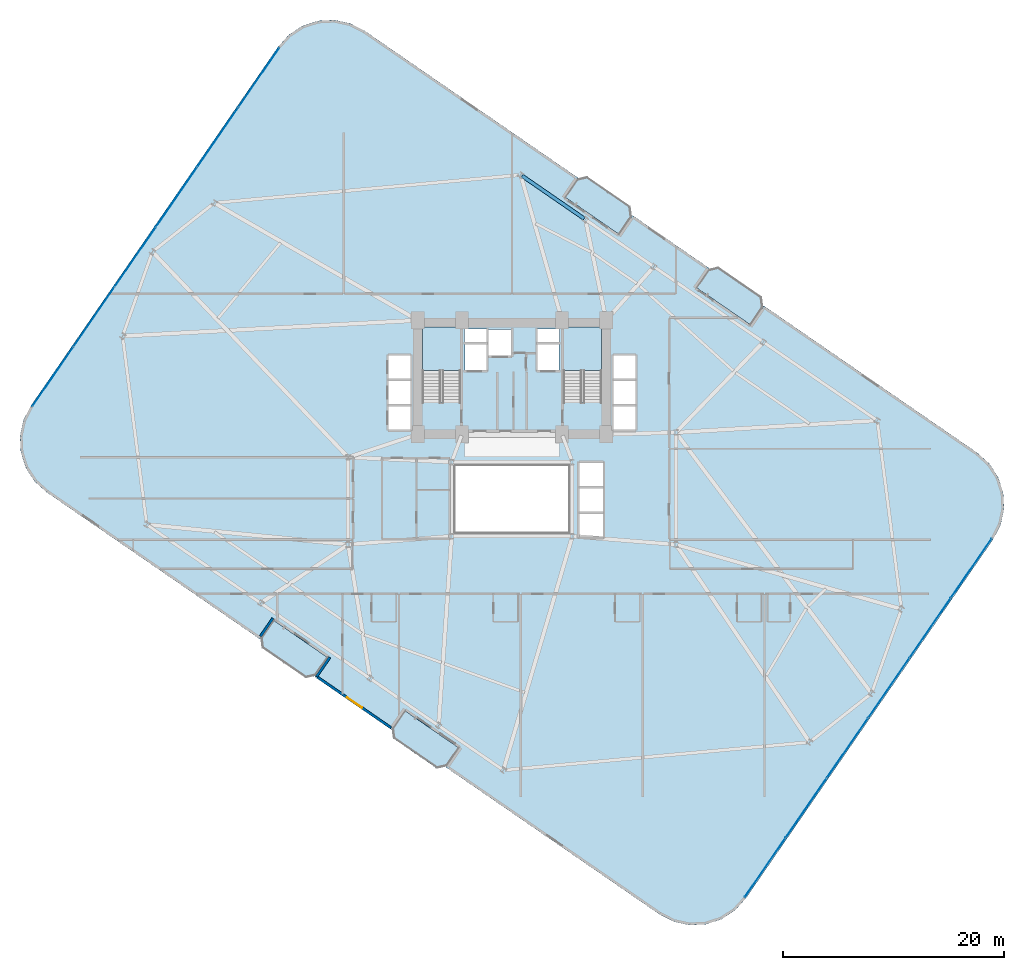
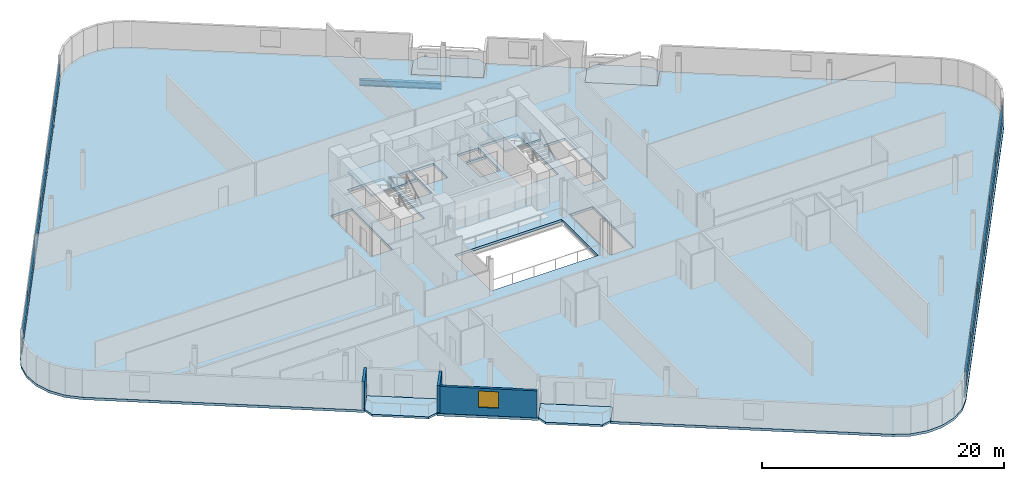
# One storey, part 16 of 24: 24 plates, 7 slabs, 3 walls, 1 beam, 1 window, 1 opening, 4 elements without a shape of their own.
"""IFC4 building model written with IfcOpenShell, lengths in metres."""

from ifc_helpers import new_model, si_unit, direction, frame, frame_2d, origin, origin_2d, place, context, subcontext, project, spatial, polyline, rectangle, i_section, outline, extrude, source, transform, mapped, material, layer, layer_set, material_profile, profile_set, type_object, element, fill, aggregate, save


model = new_model("IFC4")

# Units and contexts
model_context = context("Model", 3, precision=1e-05, world=origin(), true_north=direction((0.0, 1.0)))
body_context = subcontext(model_context, "Body", "Model", "MODEL_VIEW")
ifc_project = project(units=[si_unit("LENGTHUNIT", "METRE"), si_unit("AREAUNIT", "SQUARE_METRE"), si_unit("VOLUMEUNIT", "CUBIC_METRE"), si_unit("PLANEANGLEUNIT", "RADIAN"), si_unit("MASSUNIT", "GRAM", prefix="KILO")], contexts=[model_context])

# Site, building, storey
site_placement = place(None, origin())
site = spatial("IfcSite", under=ifc_project, at=site_placement, CompositionType="ELEMENT")
building_placement = place(site_placement, origin())
building = spatial("IfcBuilding", under=site, at=building_placement, Name="Varnelok Gate Tower", CompositionType="ELEMENT")
storey_placement = place(building_placement, frame((0.0, 0.0, 38.10009765625)))
storey = spatial("IfcBuildingStorey", under=building, at=storey_placement, Name="L08", CompositionType="ELEMENT", Elevation=38.10009765625)

# Beam
ifc_material_1 = material(Name="Structural Steel ASTM A992 Grade 50", Category="steel")
ifc_material_profile = material_profile(ifc_material_1, i_section(OverallWidth=0.323974609375, OverallDepth=0.611083984375, WebThickness=0.0126953125, FlangeThickness=0.01904296875, FilletRadius=0.01806640625, at=origin_2d()), Name="W24X104")
ifc_profile_set = profile_set([ifc_material_profile], Name="Structural Steel ASTM A992 Grade 50")
beam_type = type_object("IfcBeamType", Name="BM-SPN-W24X104", PredefinedType="SPANDREL", material=ifc_profile_set)
beam_placement = place(storey_placement, frame((45.708984375, 48.235107421875, -0.5556640625), z_axis=(-0.823553445566, 0.567238681947, 0.0), x_axis=(-0.567238681947, -0.823553445566, 0.0)))
element("IfcBeam", 1, at=beam_placement, inside=storey, type_object=beam_type, Name="L08 Perimeter Spandrel Beam 12", PredefinedType="SPANDREL", context=body_context, shape_type="SweptSolid", body=[
    extrude(i_section(OverallWidth=0.323974609375, OverallDepth=0.611083984375, WebThickness=0.0126953125, FlangeThickness=0.01904296875, FilletRadius=0.01806640625, at=origin_2d()), origin(), (0.0, 0.0, 1.0), 6.7998046875),
])

# Slabs
ifc_material_2 = material(Name="Concrete C45/55", Category="concrete")
ifc_layer_1 = layer(ifc_material_2, 0.199951171875)
ifc_layer_set_1 = layer_set([ifc_layer_1], Name="Concrete C45/55")
slab_type_1 = type_object("IfcSlabType", Name="SLB-BALC-200", PredefinedType="FLOOR", material=ifc_layer_set_1)
slab_1_placement = place(storey_placement, frame((0.0, 0.0, -0.2001953125)))
element("IfcSlab", 2, at=slab_1_placement, inside=storey, type_object=slab_type_1, Name="L08 South Hollow Balcony 1", PredefinedType="FLOOR", context=body_context, shape_type="SweptSolid", body=[
    extrude(outline(polyline([(16.5048828125, 10.3330078125), (16.67138671875, 9.42919921875), (20.5419921875, 6.762939453125), (21.446044921875, 6.929443359375), (22.58056640625, 8.57666015625), (17.639404296875, 11.980224609375), (16.5048828125, 10.3330078125)])), origin(), (0.0, 0.0, 1.0), 0.2001953125),
])
slab_2_placement = place(storey_placement, frame((0.0, 0.0, -0.2001953125)))
element("IfcSlab", 3, at=slab_2_placement, inside=storey, type_object=slab_type_1, Name="L08 South Hollow Balcony 2", PredefinedType="FLOOR", context=body_context, shape_type="SweptSolid", body=[
    extrude(outline(polyline([(28.36376953125, 2.164306640625), (28.5302734375, 1.260498046875), (32.40087890625, -1.40576171875), (33.304931640625, -1.2392578125), (34.439453125, 0.407958984375), (29.498291015625, 3.8115234375), (28.36376953125, 2.164306640625)])), origin(), (0.0, 0.0, 1.0), 0.2001953125),
])
slab_3_placement = place(storey_placement, frame((0.0, 0.0, -0.2001953125)))
element("IfcSlab", 4, at=slab_3_placement, inside=storey, type_object=slab_type_1, Name="L08 North Hollow Balcony 1", PredefinedType="FLOOR", context=body_context, shape_type="SweptSolid", body=[
    extrude(outline(polyline([(43.960693359375, 50.192138671875), (48.90185546875, 46.78857421875), (50.036376953125, 48.435546875), (49.869873046875, 49.339599609375), (45.999267578125, 52.005615234375), (45.09521484375, 51.839111328125), (43.960693359375, 50.192138671875)])), origin(), (0.0, 0.0, 1.0), 0.2001953125),
])
slab_4_placement = place(storey_placement, frame((0.0, 0.0, -0.2001953125)))
element("IfcSlab", 5, at=slab_4_placement, inside=storey, type_object=slab_type_1, Name="L08 North Hollow Balcony 2", PredefinedType="FLOOR", context=body_context, shape_type="SweptSolid", body=[
    extrude(outline(polyline([(55.819580078125, 42.0234375), (60.7607421875, 38.619873046875), (61.895263671875, 40.266845703125), (61.728515625, 41.1708984375), (57.85791015625, 43.837158203125), (56.9541015625, 43.67041015625), (55.819580078125, 42.0234375)])), origin(), (0.0, 0.0, 1.0), 0.2001953125),
])

# Stair, slab
ifc_material_3 = material(Name="Concrete C50/60", Category="concrete")
stair_type = type_object("IfcStairType", Name="STR-CORE-1650", PredefinedType="HALF_TURN_STAIR", material=ifc_material_3)
stair_1_placement = place(storey_placement, origin())
stair_1 = element("IfcStair", 6, at=stair_1_placement, inside=storey, type_object=stair_type, Name="L08 Exit Stair ST-1", PredefinedType="HALF_TURN_STAIR")
ifc_layer_2 = layer(ifc_material_2, 0.199951171875)
ifc_layer_set_2 = layer_set([ifc_layer_2], Name="Concrete C45/55")
slab_type_2 = type_object("IfcSlabType", Name="SLB-LAND-200", PredefinedType="LANDING", material=ifc_layer_set_2)
slab_5_placement = place(storey_placement, frame((0.0, 0.0, 1.64990234375)))
slab_5 = element("IfcSlab", 7, at=slab_5_placement, type_object=slab_type_2, Name="ST-1 landing 1", PredefinedType="LANDING", context=body_context, shape_type="SweptSolid", body=[
    extrude(outline(polyline([(34.550048828125, 34.5), (34.550048828125, 38.449951171875), (31.10009765625, 38.449951171875), (31.10009765625, 34.5), (34.550048828125, 34.5)])), origin(), (0.0, 0.0, 1.0), 0.199951171875),
])
aggregate(stair_1, [slab_5])

stair_2_placement = place(storey_placement, origin())
stair_2 = element("IfcStair", 8, at=stair_2_placement, inside=storey, type_object=stair_type, Name="L08 Exit Stair ST-2", PredefinedType="HALF_TURN_STAIR")
slab_6_placement = place(storey_placement, frame((0.0, 0.0, 1.64990234375)))
slab_6 = element("IfcSlab", 9, at=slab_6_placement, type_object=slab_type_2, Name="ST-2 landing 1", PredefinedType="LANDING", context=body_context, shape_type="SweptSolid", body=[
    extrude(outline(polyline([(47.300048828125, 34.5), (47.300048828125, 38.449951171875), (43.85009765625, 38.449951171875), (43.85009765625, 34.5), (47.300048828125, 34.5)])), origin(), (0.0, 0.0, 1.0), 0.199951171875),
])
aggregate(stair_2, [slab_6])

# Slab
ifc_layer_3 = layer(ifc_material_3, 0.25)
ifc_layer_set_3 = layer_set([ifc_layer_3], Name="Concrete C50/60")
slab_type_3 = type_object("IfcSlabType", Name="SLB-TYP-250", PredefinedType="FLOOR", material=ifc_layer_set_3)
slab_7_placement = place(storey_placement, frame((0.0, 0.0, -0.25)))
element("IfcSlab", 10, at=slab_7_placement, inside=storey, type_object=slab_type_3, Name="L08 Structural Floor Slab", PredefinedType="FLOOR", context=body_context, shape_type="SweptSolid", body=[
    extrude(outline(polyline([(-4.2578125, 31.3134765625), (-4.922607421875, 30.011474609375), (-5.22802734375, 28.581787109375), (-5.1533203125, 27.121826171875), (-4.702880859375, 25.731201171875), (-3.907958984375, 24.504150390625), (-2.822509765625, 23.52490234375), (7.7734375, 16.22607421875), (16.447998046875, 10.250732421875), (17.639404296875, 11.980224609375), (22.58056640625, 8.57666015625), (21.389404296875, 6.84716796875), (28.306884765625, 2.08203125), (29.498291015625, 3.8115234375), (34.439453125, 0.407958984375), (33.248046875, -1.321533203125), (41.922607421875, -7.296875), (52.518798828125, -14.595703125), (53.82080078125, -15.2607421875), (55.250244140625, -15.566162109375), (56.710205078125, -15.4912109375), (58.10107421875, -15.040771484375), (59.327880859375, -14.245849609375), (60.307373046875, -13.160400390625), (82.65771484375, 19.28662109375), (83.32275390625, 20.58837890625), (83.628173828125, 22.018310546875), (83.55322265625, 23.47802734375), (83.102783203125, 24.868896484375), (82.30810546875, 26.095703125), (81.22265625, 27.0751953125), (70.62646484375, 34.3740234375), (61.951904296875, 40.34912109375), (60.7607421875, 38.619873046875), (55.819580078125, 42.0234375), (57.0107421875, 43.752685546875), (50.093017578125, 48.517822265625), (48.90185546875, 46.78857421875), (43.960693359375, 50.192138671875), (45.15185546875, 51.92138671875), (36.477294921875, 57.896728515625), (25.881103515625, 65.195556640625), (24.579345703125, 65.860595703125), (23.149658203125, 66.166015625), (21.689697265625, 66.091064453125), (20.299072265625, 65.640869140625), (19.072021484375, 64.845947265625), (18.0927734375, 63.760498046875), (-4.2578125, 31.3134765625)]), holes=[polyline([(34.550048828125, 31.679931640625), (34.550048828125, 38.449951171875), (31.10009765625, 38.449951171875), (31.10009765625, 31.679931640625), (34.550048828125, 31.679931640625)]), polyline([(47.300048828125, 31.679931640625), (47.300048828125, 38.449951171875), (43.85009765625, 38.449951171875), (43.85009765625, 31.679931640625), (47.300048828125, 31.679931640625)]), polyline([(34.949951171875, 34.550048828125), (36.89990234375, 34.550048828125), (36.89990234375, 36.89990234375), (34.949951171875, 36.89990234375), (34.949951171875, 34.550048828125)]), polyline([(41.5, 34.550048828125), (43.449951171875, 34.550048828125), (43.449951171875, 36.89990234375), (41.5, 36.89990234375), (41.5, 34.550048828125)]), polyline([(37.050048828125, 35.85009765625), (39.14990234375, 35.85009765625), (39.14990234375, 38.199951171875), (37.050048828125, 38.199951171875), (37.050048828125, 35.85009765625)]), polyline([(28.050048828125, 29.14990234375), (30.050048828125, 29.14990234375), (30.050048828125, 35.89990234375), (28.050048828125, 35.89990234375), (28.050048828125, 29.14990234375)]), polyline([(48.35009765625, 29.14990234375), (50.35009765625, 29.14990234375), (50.35009765625, 35.89990234375), (48.35009765625, 35.89990234375), (48.35009765625, 29.14990234375)]), polyline([(45.25, 19.449951171875), (47.449951171875, 19.449951171875), (47.449951171875, 26.199951171875), (45.25, 26.199951171875), (45.25, 19.449951171875)]), polyline([(34.919921875, 37.080078125), (36.89990234375, 37.080078125), (36.89990234375, 38.280029296875), (34.919921875, 38.280029296875), (34.919921875, 37.080078125)]), polyline([(41.5, 37.080078125), (43.47998046875, 37.080078125), (43.47998046875, 38.280029296875), (41.5, 38.280029296875), (41.5, 37.080078125)]), polyline([(34.10009765625, 19.89990234375), (44.300048828125, 19.89990234375), (44.300048828125, 25.89990234375), (34.10009765625, 25.89990234375), (34.10009765625, 19.89990234375)])]), origin(), (0.0, 0.0, 1.0), 0.25),
])

# Curtain wall, plates
ifc_material_4 = material(Name="Anodized Aluminum Alloy 6063-T6", Category="aluminium")
ifc_layer_4 = layer(ifc_material_4, 0.179931640625)
ifc_layer_set_4 = layer_set([ifc_layer_4], Name="Anodized Aluminum Alloy 6063-T6")
curtain_wall_type = type_object("IfcCurtainWallType", Name="CW3-HOTEL-VISION", PredefinedType="USERDEFINED", material=ifc_layer_set_4)
curtain_wall_1_placement = place(storey_placement, origin())
curtain_wall_1 = element("IfcCurtainWall", 11, at=curtain_wall_1_placement, inside=storey, type_object=curtain_wall_type, Name="L08 West End Vision Curtain Wall", ObjectType="UNITISED CURTAIN WALL", PredefinedType="USERDEFINED")
ifc_material_5 = material(Name="Low-E Laminated Double Glazing IGU", Category="glass")
ifc_layer_5 = layer(ifc_material_5, 0.031982421875)
ifc_layer_set_5 = layer_set([ifc_layer_5], Name="Low-E Laminated Double Glazing IGU")
plate_type = type_object("IfcPlateType", Name="CW-PNL-IGU32", PredefinedType="CURTAIN_PANEL", material=ifc_layer_set_5)
shared_shape_1 = source(origin(), body_context, "Body", "SweptSolid", [
    extrude(rectangle(XDim=6.46923828125, YDim=0.031982421875, at=origin_2d()), origin(), (0.0, 0.0, 1.0), 0.802490234375),
])
plate_1_placement = place(storey_placement, frame((-2.270751953125, 33.951171875, 0.06494140625), z_axis=(0.0, 0.0, 1.0), x_axis=(0.567268822124, 0.823532685111, 0.0)))
plate_1 = element("IfcPlate", 12, at=plate_1_placement, type_object=plate_type, Name="CW3 panel 1.1", PredefinedType="CURTAIN_PANEL", context=body_context, shape_type="MappedRepresentation", body=[
    mapped(shared_shape_1, transform((0.0, 0.0, 0.0), scale=1.0)),
])
plate_2_placement = place(storey_placement, frame((16.336181640625, 60.9638671875, 0.06494140625), z_axis=(0.0, 0.0, 1.0), x_axis=(0.567268822124, 0.823532685111, 0.0)))
plate_2 = element("IfcPlate", 13, at=plate_2_placement, type_object=plate_type, Name="CW3 panel 6.1", PredefinedType="CURTAIN_PANEL", context=body_context, shape_type="MappedRepresentation", body=[
    mapped(shared_shape_1, transform((0.0, 0.0, 0.0), scale=1.0)),
])

curtain_wall_2_placement = place(storey_placement, origin())
curtain_wall_2 = element("IfcCurtainWall", 14, at=curtain_wall_2_placement, inside=storey, type_object=curtain_wall_type, Name="L08 East End Vision Curtain Wall", ObjectType="UNITISED CURTAIN WALL", PredefinedType="USERDEFINED")
plate_3_placement = place(storey_placement, frame((80.670654296875, 16.648681640625, 0.06494140625), z_axis=(0.0, 0.0, 1.0), x_axis=(-0.567268822124, -0.823532685111, 0.0)))
plate_3 = element("IfcPlate", 15, at=plate_3_placement, type_object=plate_type, Name="CW3 panel 1.1", PredefinedType="CURTAIN_PANEL", context=body_context, shape_type="MappedRepresentation", body=[
    mapped(shared_shape_1, transform((0.0, 0.0, 0.0), scale=1.0)),
])
plate_4_placement = place(storey_placement, frame((62.063720703125, -10.36376953125, 0.06494140625), z_axis=(0.0, 0.0, 1.0), x_axis=(-0.567268822124, -0.823532685111, 0.0)))
plate_4 = element("IfcPlate", 16, at=plate_4_placement, type_object=plate_type, Name="CW3 panel 6.1", PredefinedType="CURTAIN_PANEL", context=body_context, shape_type="MappedRepresentation", body=[
    mapped(shared_shape_1, transform((0.0, 0.0, 0.0), scale=1.0)),
])

# Plate
shared_shape_2 = source(origin(), body_context, "Body", "SweptSolid", [
    extrude(rectangle(XDim=6.46923828125, YDim=0.031982421875, at=origin_2d()), origin(), (0.0, 0.0, 1.0), 1.732421875),
])
plate_5_placement = place(storey_placement, frame((-2.270751953125, 33.951171875, 0.932373046875), z_axis=(0.0, 0.0, 1.0), x_axis=(0.567268822124, 0.823532685111, 0.0)))
plate_5 = element("IfcPlate", 17, at=plate_5_placement, type_object=plate_type, Name="CW3 panel 1.2", PredefinedType="CURTAIN_PANEL", context=body_context, shape_type="MappedRepresentation", body=[
    mapped(shared_shape_2, transform((0.0, 0.0, 0.0), scale=1.0)),
])

plate_6_placement = place(storey_placement, frame((16.336181640625, 60.9638671875, 0.932373046875), z_axis=(0.0, 0.0, 1.0), x_axis=(0.567268822124, 0.823532685111, 0.0)))
plate_6 = element("IfcPlate", 18, at=plate_6_placement, type_object=plate_type, Name="CW3 panel 6.2", PredefinedType="CURTAIN_PANEL", context=body_context, shape_type="MappedRepresentation", body=[
    mapped(shared_shape_2, transform((0.0, 0.0, 0.0), scale=1.0)),
])

plate_7_placement = place(storey_placement, frame((80.670654296875, 16.648681640625, 0.932373046875), z_axis=(0.0, 0.0, 1.0), x_axis=(-0.567268822124, -0.823532685111, 0.0)))
plate_7 = element("IfcPlate", 19, at=plate_7_placement, type_object=plate_type, Name="CW3 panel 1.2", PredefinedType="CURTAIN_PANEL", context=body_context, shape_type="MappedRepresentation", body=[
    mapped(shared_shape_2, transform((0.0, 0.0, 0.0), scale=1.0)),
])

plate_8_placement = place(storey_placement, frame((62.063720703125, -10.36376953125, 0.932373046875), z_axis=(0.0, 0.0, 1.0), x_axis=(-0.567268822124, -0.823532685111, 0.0)))
plate_8 = element("IfcPlate", 20, at=plate_8_placement, type_object=plate_type, Name="CW3 panel 6.2", PredefinedType="CURTAIN_PANEL", context=body_context, shape_type="MappedRepresentation", body=[
    mapped(shared_shape_2, transform((0.0, 0.0, 0.0), scale=1.0)),
])

shared_shape_3 = source(origin(), body_context, "Body", "SweptSolid", [
    extrude(rectangle(XDim=6.501708984375, YDim=0.031982421875, at=origin_2d()), origin(), (0.0, 0.0, 1.0), 0.802490234375),
])
plate_9_placement = place(storey_placement, frame((1.4453125, 39.345703125, 0.06494140625), z_axis=(0.0, 0.0, 1.0), x_axis=(0.567268822124, 0.823532685111, 0.0)))
plate_9 = element("IfcPlate", 21, at=plate_9_placement, type_object=plate_type, Name="CW3 panel 2.1", PredefinedType="CURTAIN_PANEL", context=body_context, shape_type="MappedRepresentation", body=[
    mapped(shared_shape_3, transform((0.0, 0.0, 0.0), scale=1.0)),
])

plate_10_placement = place(storey_placement, frame((5.170166015625, 44.753662109375, 0.06494140625), z_axis=(0.0, 0.0, 1.0), x_axis=(0.567268822124, 0.823532685111, 0.0)))
plate_10 = element("IfcPlate", 22, at=plate_10_placement, type_object=plate_type, Name="CW3 panel 3.1", PredefinedType="CURTAIN_PANEL", context=body_context, shape_type="MappedRepresentation", body=[
    mapped(shared_shape_3, transform((0.0, 0.0, 0.0), scale=1.0)),
])

plate_11_placement = place(storey_placement, frame((8.895263671875, 50.161376953125, 0.06494140625), z_axis=(0.0, 0.0, 1.0), x_axis=(0.567268822124, 0.823532685111, 0.0)))
plate_11 = element("IfcPlate", 23, at=plate_11_placement, type_object=plate_type, Name="CW3 panel 4.1", PredefinedType="CURTAIN_PANEL", context=body_context, shape_type="MappedRepresentation", body=[
    mapped(shared_shape_3, transform((0.0, 0.0, 0.0), scale=1.0)),
])

plate_12_placement = place(storey_placement, frame((12.620361328125, 55.5693359375, 0.06494140625), z_axis=(0.0, 0.0, 1.0), x_axis=(0.567268822124, 0.823532685111, 0.0)))
plate_12 = element("IfcPlate", 24, at=plate_12_placement, type_object=plate_type, Name="CW3 panel 5.1", PredefinedType="CURTAIN_PANEL", context=body_context, shape_type="MappedRepresentation", body=[
    mapped(shared_shape_3, transform((0.0, 0.0, 0.0), scale=1.0)),
])

plate_13_placement = place(storey_placement, frame((76.954833984375, 11.25439453125, 0.06494140625), z_axis=(0.0, 0.0, 1.0), x_axis=(-0.567268822124, -0.823532685111, 0.0)))
plate_13 = element("IfcPlate", 25, at=plate_13_placement, type_object=plate_type, Name="CW3 panel 2.1", PredefinedType="CURTAIN_PANEL", context=body_context, shape_type="MappedRepresentation", body=[
    mapped(shared_shape_3, transform((0.0, 0.0, 0.0), scale=1.0)),
])

plate_14_placement = place(storey_placement, frame((73.229736328125, 5.846435546875, 0.06494140625), z_axis=(0.0, 0.0, 1.0), x_axis=(-0.567268822124, -0.823532685111, 0.0)))
plate_14 = element("IfcPlate", 26, at=plate_14_placement, type_object=plate_type, Name="CW3 panel 3.1", PredefinedType="CURTAIN_PANEL", context=body_context, shape_type="MappedRepresentation", body=[
    mapped(shared_shape_3, transform((0.0, 0.0, 0.0), scale=1.0)),
])

plate_15_placement = place(storey_placement, frame((69.504638671875, 0.4384765625, 0.06494140625), z_axis=(0.0, 0.0, 1.0), x_axis=(-0.567268822124, -0.823532685111, 0.0)))
plate_15 = element("IfcPlate", 27, at=plate_15_placement, type_object=plate_type, Name="CW3 panel 4.1", PredefinedType="CURTAIN_PANEL", context=body_context, shape_type="MappedRepresentation", body=[
    mapped(shared_shape_3, transform((0.0, 0.0, 0.0), scale=1.0)),
])

plate_16_placement = place(storey_placement, frame((65.779541015625, -4.96923828125, 0.06494140625), z_axis=(0.0, 0.0, 1.0), x_axis=(-0.567268822124, -0.823532685111, 0.0)))
plate_16 = element("IfcPlate", 28, at=plate_16_placement, type_object=plate_type, Name="CW3 panel 5.1", PredefinedType="CURTAIN_PANEL", context=body_context, shape_type="MappedRepresentation", body=[
    mapped(shared_shape_3, transform((0.0, 0.0, 0.0), scale=1.0)),
])

shared_shape_4 = source(origin(), body_context, "Body", "SweptSolid", [
    extrude(rectangle(XDim=6.501708984375, YDim=0.031982421875, at=origin_2d()), origin(), (0.0, 0.0, 1.0), 1.732421875),
])
plate_17_placement = place(storey_placement, frame((1.4453125, 39.345703125, 0.932373046875), z_axis=(0.0, 0.0, 1.0), x_axis=(0.567268822124, 0.823532685111, 0.0)))
plate_17 = element("IfcPlate", 29, at=plate_17_placement, type_object=plate_type, Name="CW3 panel 2.2", PredefinedType="CURTAIN_PANEL", context=body_context, shape_type="MappedRepresentation", body=[
    mapped(shared_shape_4, transform((0.0, 0.0, 0.0), scale=1.0)),
])

plate_18_placement = place(storey_placement, frame((5.170166015625, 44.753662109375, 0.932373046875), z_axis=(0.0, 0.0, 1.0), x_axis=(0.567268822124, 0.823532685111, 0.0)))
plate_18 = element("IfcPlate", 30, at=plate_18_placement, type_object=plate_type, Name="CW3 panel 3.2", PredefinedType="CURTAIN_PANEL", context=body_context, shape_type="MappedRepresentation", body=[
    mapped(shared_shape_4, transform((0.0, 0.0, 0.0), scale=1.0)),
])

plate_19_placement = place(storey_placement, frame((8.895263671875, 50.161376953125, 0.932373046875), z_axis=(0.0, 0.0, 1.0), x_axis=(0.567268822124, 0.823532685111, 0.0)))
plate_19 = element("IfcPlate", 31, at=plate_19_placement, type_object=plate_type, Name="CW3 panel 4.2", PredefinedType="CURTAIN_PANEL", context=body_context, shape_type="MappedRepresentation", body=[
    mapped(shared_shape_4, transform((0.0, 0.0, 0.0), scale=1.0)),
])

plate_20_placement = place(storey_placement, frame((12.620361328125, 55.5693359375, 0.932373046875), z_axis=(0.0, 0.0, 1.0), x_axis=(0.567268822124, 0.823532685111, 0.0)))
plate_20 = element("IfcPlate", 32, at=plate_20_placement, type_object=plate_type, Name="CW3 panel 5.2", PredefinedType="CURTAIN_PANEL", context=body_context, shape_type="MappedRepresentation", body=[
    mapped(shared_shape_4, transform((0.0, 0.0, 0.0), scale=1.0)),
])

aggregate(curtain_wall_1, [plate_1, plate_5, plate_9, plate_17, plate_10, plate_18, plate_11, plate_19, plate_12, plate_20, plate_2, plate_6])

plate_21_placement = place(storey_placement, frame((76.954833984375, 11.25439453125, 0.932373046875), z_axis=(0.0, 0.0, 1.0), x_axis=(-0.567268822124, -0.823532685111, 0.0)))
plate_21 = element("IfcPlate", 33, at=plate_21_placement, type_object=plate_type, Name="CW3 panel 2.2", PredefinedType="CURTAIN_PANEL", context=body_context, shape_type="MappedRepresentation", body=[
    mapped(shared_shape_4, transform((0.0, 0.0, 0.0), scale=1.0)),
])

plate_22_placement = place(storey_placement, frame((73.229736328125, 5.846435546875, 0.932373046875), z_axis=(0.0, 0.0, 1.0), x_axis=(-0.567268822124, -0.823532685111, 0.0)))
plate_22 = element("IfcPlate", 34, at=plate_22_placement, type_object=plate_type, Name="CW3 panel 3.2", PredefinedType="CURTAIN_PANEL", context=body_context, shape_type="MappedRepresentation", body=[
    mapped(shared_shape_4, transform((0.0, 0.0, 0.0), scale=1.0)),
])

plate_23_placement = place(storey_placement, frame((69.504638671875, 0.4384765625, 0.932373046875), z_axis=(0.0, 0.0, 1.0), x_axis=(-0.567268822124, -0.823532685111, 0.0)))
plate_23 = element("IfcPlate", 35, at=plate_23_placement, type_object=plate_type, Name="CW3 panel 4.2", PredefinedType="CURTAIN_PANEL", context=body_context, shape_type="MappedRepresentation", body=[
    mapped(shared_shape_4, transform((0.0, 0.0, 0.0), scale=1.0)),
])

plate_24_placement = place(storey_placement, frame((65.779541015625, -4.96923828125, 0.932373046875), z_axis=(0.0, 0.0, 1.0), x_axis=(-0.567268822124, -0.823532685111, 0.0)))
plate_24 = element("IfcPlate", 36, at=plate_24_placement, type_object=plate_type, Name="CW3 panel 5.2", PredefinedType="CURTAIN_PANEL", context=body_context, shape_type="MappedRepresentation", body=[
    mapped(shared_shape_4, transform((0.0, 0.0, 0.0), scale=1.0)),
])

aggregate(curtain_wall_2, [plate_3, plate_7, plate_13, plate_21, plate_14, plate_22, plate_15, plate_23, plate_16, plate_24, plate_4, plate_8])

# Walls
ifc_layer_6 = layer(ifc_material_2, 0.219970703125)
ifc_layer_set_6 = layer_set([ifc_layer_6], Name="Concrete C45/55")
wall_type = type_object("IfcWallType", Name="EW-BALC-220", PredefinedType="SOLIDWALL", material=ifc_layer_set_6)
wall_1_placement = place(storey_placement, frame((16.48828125, 10.5205078125, 0.0), z_axis=(0.0, 0.0, 1.0), x_axis=(0.567131976434, 0.823626930902, 0.0)))
element("IfcWall", 37, at=wall_1_placement, inside=storey, type_object=wall_type, Name="L08 Perimeter Facade Closure Wall 8", PredefinedType="SOLIDWALL", context=body_context, shape_type="SweptSolid", body=[
    extrude(rectangle(XDim=1.97509765625, YDim=0.219970703125, at=frame_2d((0.987548828125, 0.0))), origin(), (0.0, 0.0, 1.0), 2.72998046875),
])
wall_2_placement = place(storey_placement, frame((22.747314453125, 8.607421875, 0.0), z_axis=(0.0, 0.0, 1.0), x_axis=(-0.567219383419, -0.823566737474, 0.0)))
element("IfcWall", 38, at=wall_2_placement, inside=storey, type_object=wall_type, Name="L08 Perimeter Facade Closure Wall 9", PredefinedType="SOLIDWALL", context=body_context, shape_type="SweptSolid", body=[
    extrude(rectangle(XDim=2.10009765625, YDim=0.219970703125, at=frame_2d((1.050048828125, 0.0))), origin(), (0.0, 0.0, 1.0), 2.72998046875),
])

# Wall, opening, window
wall_3_placement = place(storey_placement, frame((21.6591796875, 6.806884765625, 0.0), z_axis=(0.0, 0.0, 1.0), x_axis=(0.823535360023, -0.567264938799, 0.0)))
wall_3 = element("IfcWall", 39, at=wall_3_placement, inside=storey, type_object=wall_type, Name="L08 Perimeter Facade Closure Wall 10", PredefinedType="SOLIDWALL", context=body_context, shape_type="SweptSolid", body=[
    extrude(rectangle(XDim=8.034912109375, YDim=0.219970703125, at=frame_2d((4.017578125, 0.0))), origin(), (0.0, 0.0, 1.0), 2.72998046875),
])
opening_placement = place(wall_3_placement, frame((3.1923828125, 0.0, 0.800048828125)))
opening = element("IfcOpeningElement", 40, at=opening_placement, cuts=wall_3, Name="Opening WN3", PredefinedType="OPENING", context=body_context, shape_type="SweptSolid", body=[
    extrude(rectangle(XDim=1.64990234375, YDim=1.64990234375, at=frame_2d((0.824951171875, 0.824951171875))), frame((0.0, 0.119873046875, 0.0), z_axis=(0.0, -1.0, 0.0), x_axis=(1.0, 0.0, 0.0)), (0.0, 0.0, 1.0), 0.239990234375),
])
window_type = type_object("IfcWindowType", Name="WN-HTL-1650", PartitioningType="SINGLE_PANEL", PredefinedType="WINDOW", material=ifc_material_5)
window_placement = place(opening_placement, origin())
window = element("IfcWindow", 41, at=window_placement, inside=storey, type_object=window_type, Name="L08 Perimeter Vision Window 10", OverallHeight=1.64990234375, OverallWidth=1.64990234375, PartitioningType="SINGLE_PANEL", PredefinedType="WINDOW", context=body_context, shape_type="SweptSolid", body=[
    extrude(rectangle(XDim=1.64990234375, YDim=1.64990234375, at=frame_2d((0.824951171875, 0.824951171875))), frame((0.0, 0.030029296875, 0.0), z_axis=(0.0, -1.0, 0.0), x_axis=(1.0, 0.0, 0.0)), (0.0, 0.0, 1.0), 0.06005859375),
])
fill(opening, window)

save(model, "model.ifc")
